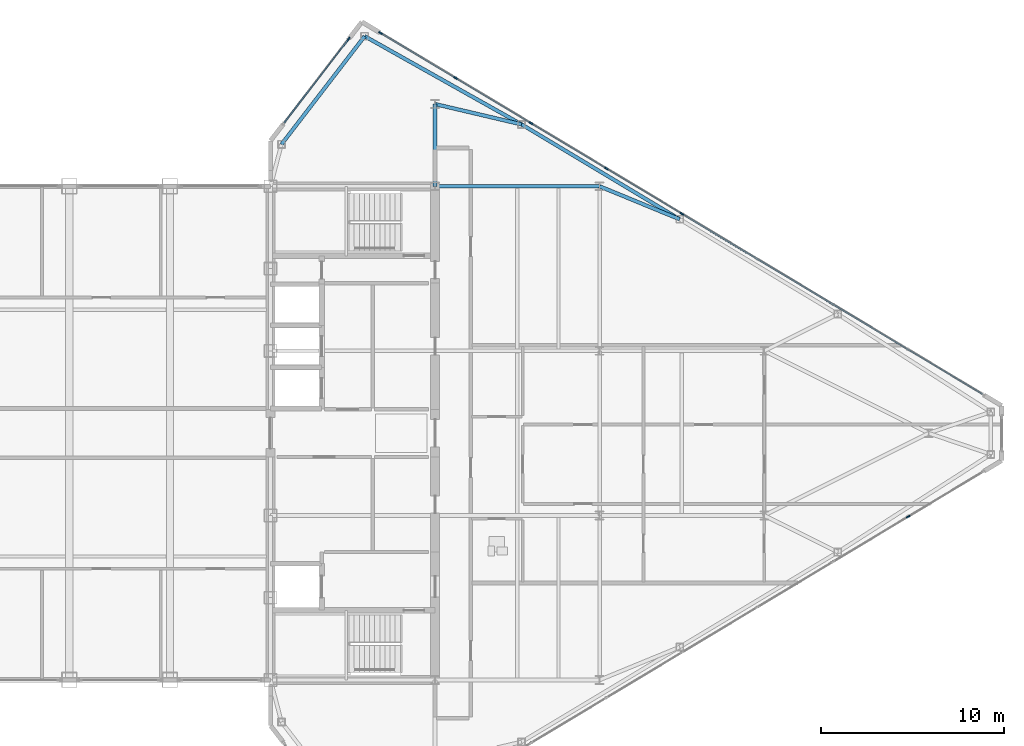
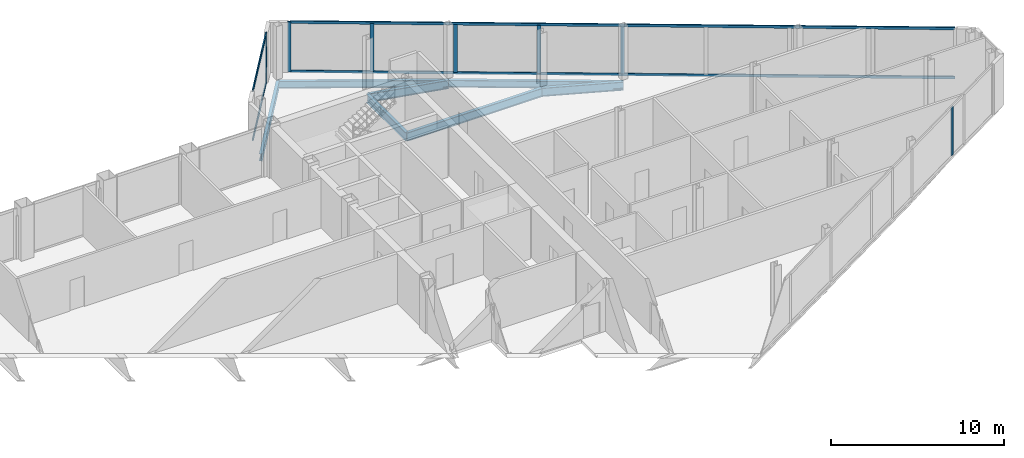
# One storey, part 17 of 29: 11 members, 7 beams, 3 elements without a shape of their own.
"""IFC4 building model written with IfcOpenShell, lengths in metres."""

from ifc_helpers import new_model, si_unit, direction, frame, origin, origin_2d, place, context, subcontext, project, spatial, rectangle, i_section, extrude, source, transform, mapped, material, layer, layer_set, material_profile, profile_set, type_object, type_shapes, element, aggregate, save


model = new_model("IFC4")

# Units and contexts
model_context = context("Model", 3, precision=1e-05, world=origin(), true_north=direction((0.0, 1.0)))
body_context = subcontext(model_context, "Body", "Model", "MODEL_VIEW")
ifc_project = project(units=[si_unit("LENGTHUNIT", "METRE"), si_unit("AREAUNIT", "SQUARE_METRE"), si_unit("VOLUMEUNIT", "CUBIC_METRE"), si_unit("PLANEANGLEUNIT", "RADIAN"), si_unit("MASSUNIT", "GRAM", prefix="KILO")], contexts=[model_context])

# Site, building, storey
site_placement = place(None, origin())
site = spatial("IfcSite", under=ifc_project, at=site_placement, CompositionType="ELEMENT")
building_placement = place(site_placement, origin())
building = spatial("IfcBuilding", under=site, at=building_placement, Name="Seokmaru Belvedere", CompositionType="ELEMENT")
storey_placement = place(building_placement, frame((0.0, 0.0, 246.89990234375)))
storey = spatial("IfcBuildingStorey", under=building, at=storey_placement, Name="L65", CompositionType="ELEMENT", Elevation=246.89990234375)

# Beams
ifc_material_1 = material(Name="Steel SM355 (355 MPa)", Category="steel")
ifc_material_profile_1 = material_profile(ifc_material_1, i_section(OverallWidth=0.199951171875, OverallDepth=0.60009765625, WebThickness=0.010986328125, FlangeThickness=0.01708984375, at=origin_2d()), Name="H-600x200x11x17")
ifc_profile_set_1 = profile_set([ifc_material_profile_1], Name="Steel SM355 (355 MPa)")
beam_type_1 = type_object("IfcBeamType", Name="Primary Floor Girder H-600", PredefinedType="BEAM", material=ifc_profile_set_1)
shared_shape_1 = source(origin(), body_context, "Body", "SweptSolid", [
    extrude(i_section(OverallWidth=0.199951171875, OverallDepth=0.60009765625, WebThickness=0.010986328125, FlangeThickness=0.01708984375, at=origin_2d()), origin(), (0.0, 0.0, 1.0), 9.0),
])
beam_1_placement = place(storey_placement, frame((36.5, 13.5, -0.52001953125), z_axis=(1.0, 0.0, 0.0), x_axis=(0.0, 1.0, 0.0)))
element("IfcBeam", 1, at=beam_1_placement, inside=storey, type_object=beam_type_1, Name="L65 E Wing Primary Girder 4", PredefinedType="BEAM", context=body_context, shape_type="MappedRepresentation", body=[
    mapped(shared_shape_1, transform((0.0, 0.0, 0.0), scale=1.0)),
])
shared_shape_2 = source(origin(), body_context, "Body", "SweptSolid", [
    extrude(i_section(OverallWidth=0.199951171875, OverallDepth=0.60009765625, WebThickness=0.010986328125, FlangeThickness=0.01708984375, at=origin_2d()), origin(), (0.0, 0.0, 1.0), 4.5),
])
beam_2_placement = place(storey_placement, frame((36.5, 13.5, -0.52001953125), z_axis=(0.0, 1.0, 0.0), x_axis=(-1.0, 0.0, 0.0)))
element("IfcBeam", 2, at=beam_2_placement, inside=storey, type_object=beam_type_1, Name="L65 E Core Shoulder Girder N", PredefinedType="BEAM", context=body_context, shape_type="MappedRepresentation", body=[
    mapped(shared_shape_2, transform((0.0, 0.0, 0.0), scale=1.0)),
])
ifc_material_profile_2 = material_profile(ifc_material_1, i_section(OverallWidth=0.199951171875, OverallDepth=0.5, WebThickness=0.010009765625, FlangeThickness=0.01611328125, at=origin_2d()), Name="H-500x200x10x16")
ifc_profile_set_2 = profile_set([ifc_material_profile_2], Name="Steel SM355 (355 MPa)")
beam_type_2 = type_object("IfcBeamType", Name="Perimeter Spandrel Beam H-500", PredefinedType="SPANDREL", material=ifc_profile_set_2)
shared_shape_3 = source(origin(), body_context, "Body", "SweptSolid", [
    extrude(i_section(OverallWidth=0.199951171875, OverallDepth=0.5, WebThickness=0.010009765625, FlangeThickness=0.01611328125, at=origin_2d()), origin(), (0.0, 0.0, 1.0), 9.842041015625),
])
beam_3_placement = place(storey_placement, frame((32.649658203125, 21.71044921875, -0.469970703125), z_axis=(0.871782151818, -0.489893743349, 0.0), x_axis=(0.489893743349, 0.871782151818, 0.0)))
element("IfcBeam", 3, at=beam_3_placement, inside=storey, type_object=beam_type_2, Name="L65 E Faceted Flank Spandrel N-1", PredefinedType="SPANDREL", context=body_context, shape_type="MappedRepresentation", body=[
    mapped(shared_shape_3, transform((0.0, 0.0, 0.0), scale=1.0)),
])
shared_shape_4 = source(origin(), body_context, "Body", "SweptSolid", [
    extrude(i_section(OverallWidth=0.199951171875, OverallDepth=0.5, WebThickness=0.010009765625, FlangeThickness=0.01611328125, at=origin_2d()), origin(), (0.0, 0.0, 1.0), 10.087646484375),
])
beam_4_placement = place(storey_placement, frame((41.229736328125, 16.888916015625, -0.469970703125), z_axis=(0.857499332045, -0.514485078056, 0.0), x_axis=(0.514485078056, 0.857499332045, 0.0)))
element("IfcBeam", 4, at=beam_4_placement, inside=storey, type_object=beam_type_2, Name="L65 E Faceted Flank Spandrel N-2", PredefinedType="SPANDREL", context=body_context, shape_type="MappedRepresentation", body=[
    mapped(shared_shape_4, transform((0.0, 0.0, 0.0), scale=1.0)),
])
shared_shape_5 = source(origin(), body_context, "Body", "SweptSolid", [
    extrude(i_section(OverallWidth=0.199951171875, OverallDepth=0.5, WebThickness=0.010009765625, FlangeThickness=0.01611328125, at=origin_2d()), origin(), (0.0, 0.0, 1.0), 7.4619140625),
])
type_shapes(beam_type_2, [shared_shape_3, shared_shape_4, shared_shape_5])
beam_5_placement = place(storey_placement, frame((32.649658203125, 21.71044921875, -0.469970703125), z_axis=(-0.609702854945, -0.792630070507, 0.0), x_axis=(0.792630070507, -0.609702854945, 0.0)))
element("IfcBeam", 5, at=beam_5_placement, inside=storey, type_object=beam_type_2, Name="L65 E Shoulder Chamfer Spandrel N", PredefinedType="SPANDREL", context=body_context, shape_type="MappedRepresentation", body=[
    mapped(shared_shape_5, transform((0.0, 0.0, 0.0), scale=1.0)),
])
shared_shape_6 = source(origin(), body_context, "Body", "SweptSolid", [
    extrude(i_section(OverallWidth=0.199951171875, OverallDepth=0.60009765625, WebThickness=0.010986328125, FlangeThickness=0.01708984375, at=origin_2d()), origin(), (0.0, 0.0, 1.0), 4.8583984375),
])
beam_6_placement = place(storey_placement, frame((41.229736328125, 16.888916015625, -0.52001953125), z_axis=(-0.97349948295, 0.228689214211, 0.0), x_axis=(-0.228689214211, -0.97349948295, 0.0)))
element("IfcBeam", 6, at=beam_6_placement, inside=storey, type_object=beam_type_1, Name="L65 E Flank Radial Floor Girder N-1", PredefinedType="BEAM", context=body_context, shape_type="MappedRepresentation", body=[
    mapped(shared_shape_6, transform((0.0, 0.0, 0.0), scale=1.0)),
])
shared_shape_7 = source(origin(), body_context, "Body", "SweptSolid", [
    extrude(i_section(OverallWidth=0.199951171875, OverallDepth=0.60009765625, WebThickness=0.010986328125, FlangeThickness=0.01708984375, at=origin_2d()), origin(), (0.0, 0.0, 1.0), 4.73583984375),
])
type_shapes(beam_type_1, [shared_shape_1, shared_shape_2, shared_shape_6, shared_shape_7])
beam_7_placement = place(storey_placement, frame((49.8798828125, 11.698974609375, -0.52001953125), z_axis=(-0.924860562953, 0.380306375301, 0.0), x_axis=(-0.380306375301, -0.924860562953, 0.0)))
element("IfcBeam", 7, at=beam_7_placement, inside=storey, type_object=beam_type_1, Name="L65 E Flank Radial Floor Girder N-2", PredefinedType="BEAM", context=body_context, shape_type="MappedRepresentation", body=[
    mapped(shared_shape_7, transform((0.0, 0.0, 0.0), scale=1.0)),
])

# Curtain wall, members
ifc_material_2 = material(Name="Bronze Triple Insulating Glass", Category="glass")
ifc_layer = layer(ifc_material_2, 0.219970703125)
ifc_layer_set = layer_set([ifc_layer], Name="Bronze Triple Insulating Glass")
curtain_wall_type = type_object("IfcCurtainWallType", Name="Sky-Gate Bridge Panorama Curtain Wall System CW-6", PredefinedType="NOTDEFINED", material=ifc_layer_set)
curtain_wall_1_placement = place(storey_placement, origin())
curtain_wall_1 = element("IfcCurtainWall", 8, at=curtain_wall_1_placement, inside=storey, type_object=curtain_wall_type, Name="L65 Curtain Wall EF4", PredefinedType="NOTDEFINED")
ifc_material_3 = material(Name="Anodised Bronze Aluminium", Category="aluminium")
ifc_material_profile_3 = material_profile(ifc_material_3, rectangle(XDim=0.074951171875, YDim=0.179931640625, at=origin_2d()), Name="CW-T-75x180")
ifc_profile_set_3 = profile_set([ifc_material_profile_3], Name="Anodised Bronze Aluminium")
member_type_1 = type_object("IfcMemberType", Name="Bronze Unitised Transom 75x180", PredefinedType="USERDEFINED", material=ifc_profile_set_3)
shared_shape_8 = source(origin(), body_context, "Body", "SweptSolid", [
    extrude(rectangle(XDim=0.074951171875, YDim=0.179931640625, at=origin_2d()), origin(), (0.0, 0.0, 1.0), 5.74072265625),
])
member_1_placement = place(storey_placement, frame((31.75, 21.525146484375, 0.03759765625), z_axis=(-0.609686097287, -0.792642960465, 0.0), x_axis=(0.792642960465, -0.609686097287, 0.0)))
member_1 = element("IfcMember", 9, at=member_1_placement, type_object=member_type_1, Name="CW:L65:EF4 Continuous Transom 1", ObjectType="TRANSOM", PredefinedType="USERDEFINED", context=body_context, shape_type="MappedRepresentation", body=[
    mapped(shared_shape_8, transform((0.0, 0.0, 0.0), scale=1.0)),
])
member_2_placement = place(storey_placement, frame((31.75, 21.525146484375, 3.49267578125), z_axis=(-0.609686097287, -0.792642960465, 0.0), x_axis=(0.792642960465, -0.609686097287, 0.0)))
member_2 = element("IfcMember", 10, at=member_2_placement, type_object=member_type_1, Name="CW:L65:EF4 Continuous Transom 2", ObjectType="TRANSOM", PredefinedType="USERDEFINED", context=body_context, shape_type="MappedRepresentation", body=[
    mapped(shared_shape_8, transform((0.0, 0.0, 0.0), scale=1.0)),
])

curtain_wall_2_placement = place(storey_placement, origin())
curtain_wall_2 = element("IfcCurtainWall", 11, at=curtain_wall_2_placement, inside=storey, type_object=curtain_wall_type, Name="L65 Curtain Wall EF3", PredefinedType="NOTDEFINED")
shared_shape_9 = source(origin(), body_context, "Body", "SweptSolid", [
    extrude(rectangle(XDim=0.074951171875, YDim=0.179931640625, at=origin_2d()), origin(), (0.0, 0.0, 1.0), 38.356689453125),
])
type_shapes(member_type_1, [shared_shape_8, shared_shape_9])
member_3_placement = place(storey_placement, frame((66.4453125, 2.1328125, 0.03759765625), z_axis=(-0.857492925713, 0.514495755428, 0.0), x_axis=(-0.514495755428, -0.857492925713, 0.0)))
member_3 = element("IfcMember", 12, at=member_3_placement, type_object=member_type_1, Name="CW:L65:EF3 Continuous Transom 1", ObjectType="TRANSOM", PredefinedType="USERDEFINED", context=body_context, shape_type="MappedRepresentation", body=[
    mapped(shared_shape_9, transform((0.0, 0.0, 0.0), scale=1.0)),
])
member_4_placement = place(storey_placement, frame((66.4453125, 2.1328125, 3.49267578125), z_axis=(-0.857492925713, 0.514495755428, 0.0), x_axis=(-0.514495755428, -0.857492925713, 0.0)))
member_4 = element("IfcMember", 13, at=member_4_placement, type_object=member_type_1, Name="CW:L65:EF3 Continuous Transom 2", ObjectType="TRANSOM", PredefinedType="USERDEFINED", context=body_context, shape_type="MappedRepresentation", body=[
    mapped(shared_shape_9, transform((0.0, 0.0, 0.0), scale=1.0)),
])
ifc_material_profile_4 = material_profile(ifc_material_3, rectangle(XDim=0.080078125, YDim=0.219970703125, at=origin_2d()), Name="CW-M-80x220")
ifc_profile_set_4 = profile_set([ifc_material_profile_4], Name="Anodised Bronze Aluminium")
member_type_2 = type_object("IfcMemberType", Name="Bronze Unitised Mullion 80x220", PredefinedType="MULLION", material=ifc_profile_set_4)
shared_shape_10 = source(origin(), body_context, "Body", "SweptSolid", [
    extrude(rectangle(XDim=0.080078125, YDim=0.219970703125, at=origin_2d()), origin(), (0.0, 0.0, 1.0), 3.530029296875),
])
member_5_placement = place(storey_placement, frame((33.5205078125, 21.8876953125, 0.0), z_axis=(0.0, 0.0, 1.0), x_axis=(-0.514494909364, -0.85749343335, 0.0)))
member_5 = element("IfcMember", 14, at=member_5_placement, type_object=member_type_2, Name="CW:L65:EF3 Mullion 9", PredefinedType="MULLION", context=body_context, shape_type="MappedRepresentation", body=[
    mapped(shared_shape_10, transform((0.0, 0.0, 0.0), scale=1.0)),
])

# Member
member_6_placement = place(storey_placement, frame((31.7744140625, 21.556884765625, 0.0), z_axis=(0.0, 0.0, 1.0), x_axis=(0.792631353244, -0.609701187349, 0.0)))
member_6 = element("IfcMember", 15, at=member_6_placement, type_object=member_type_2, Name="CW:L65:EF4 Mullion 1", PredefinedType="MULLION", context=body_context, shape_type="MappedRepresentation", body=[
    mapped(shared_shape_10, transform((0.0, 0.0, 0.0), scale=1.0)),
])

aggregate(curtain_wall_1, [member_6, member_1, member_2])

# Curtain wall, member
curtain_wall_3_placement = place(storey_placement, origin())
curtain_wall_3 = element("IfcCurtainWall", 16, at=curtain_wall_3_placement, inside=storey, type_object=curtain_wall_type, Name="L65 Curtain Wall EF1", PredefinedType="NOTDEFINED")
shared_shape_11 = source(origin(), body_context, "Body", "SweptSolid", [
    extrude(rectangle(XDim=0.080078125, YDim=0.219970703125, at=origin_2d()), origin(), (0.0, 0.0, 1.0), 3.3798828125),
])
type_shapes(member_type_2, [shared_shape_10, shared_shape_11])
member_7_placement = place(storey_placement, frame((62.385498046875, -4.56884765625, 0.0751953125), z_axis=(0.0, 0.0, 1.0), x_axis=(-0.514494909364, 0.85749343335, 0.0)))
member_7 = element("IfcMember", 17, at=member_7_placement, type_object=member_type_2, Name="CW:L65:EF1 Mullion 8", PredefinedType="MULLION", context=body_context, shape_type="MappedRepresentation", body=[
    mapped(shared_shape_11, transform((0.0, 0.0, 0.0), scale=1.0)),
])
aggregate(curtain_wall_3, [member_7])

# Member
member_8_placement = place(storey_placement, frame((50.0, 12.0, 0.0751953125), z_axis=(0.0, 0.0, 1.0), x_axis=(-0.514494909364, -0.85749343335, 0.0)))
member_8 = element("IfcMember", 18, at=member_8_placement, type_object=member_type_2, Name="CW:L65:EF3 Mullion 5", PredefinedType="MULLION", context=body_context, shape_type="MappedRepresentation", body=[
    mapped(shared_shape_11, transform((0.0, 0.0, 0.0), scale=1.0)),
])

member_9_placement = place(storey_placement, frame((45.87158203125, 14.47705078125, 0.0751953125), z_axis=(0.0, 0.0, 1.0), x_axis=(-0.514494909364, -0.85749343335, 0.0)))
member_9 = element("IfcMember", 19, at=member_9_placement, type_object=member_type_2, Name="CW:L65:EF3 Mullion 6", PredefinedType="MULLION", context=body_context, shape_type="MappedRepresentation", body=[
    mapped(shared_shape_11, transform((0.0, 0.0, 0.0), scale=1.0)),
])

member_10_placement = place(storey_placement, frame((41.742919921875, 16.9541015625, 0.0751953125), z_axis=(0.0, 0.0, 1.0), x_axis=(-0.514494909364, -0.85749343335, 0.0)))
member_10 = element("IfcMember", 20, at=member_10_placement, type_object=member_type_2, Name="CW:L65:EF3 Mullion 7", PredefinedType="MULLION", context=body_context, shape_type="MappedRepresentation", body=[
    mapped(shared_shape_11, transform((0.0, 0.0, 0.0), scale=1.0)),
])

member_11_placement = place(storey_placement, frame((37.614501953125, 19.43115234375, 0.0751953125), z_axis=(0.0, 0.0, 1.0), x_axis=(-0.514494909364, -0.85749343335, 0.0)))
member_11 = element("IfcMember", 21, at=member_11_placement, type_object=member_type_2, Name="CW:L65:EF3 Mullion 8", PredefinedType="MULLION", context=body_context, shape_type="MappedRepresentation", body=[
    mapped(shared_shape_11, transform((0.0, 0.0, 0.0), scale=1.0)),
])

aggregate(curtain_wall_2, [member_8, member_9, member_10, member_11, member_5, member_3, member_4])

save(model, "model.ifc")
